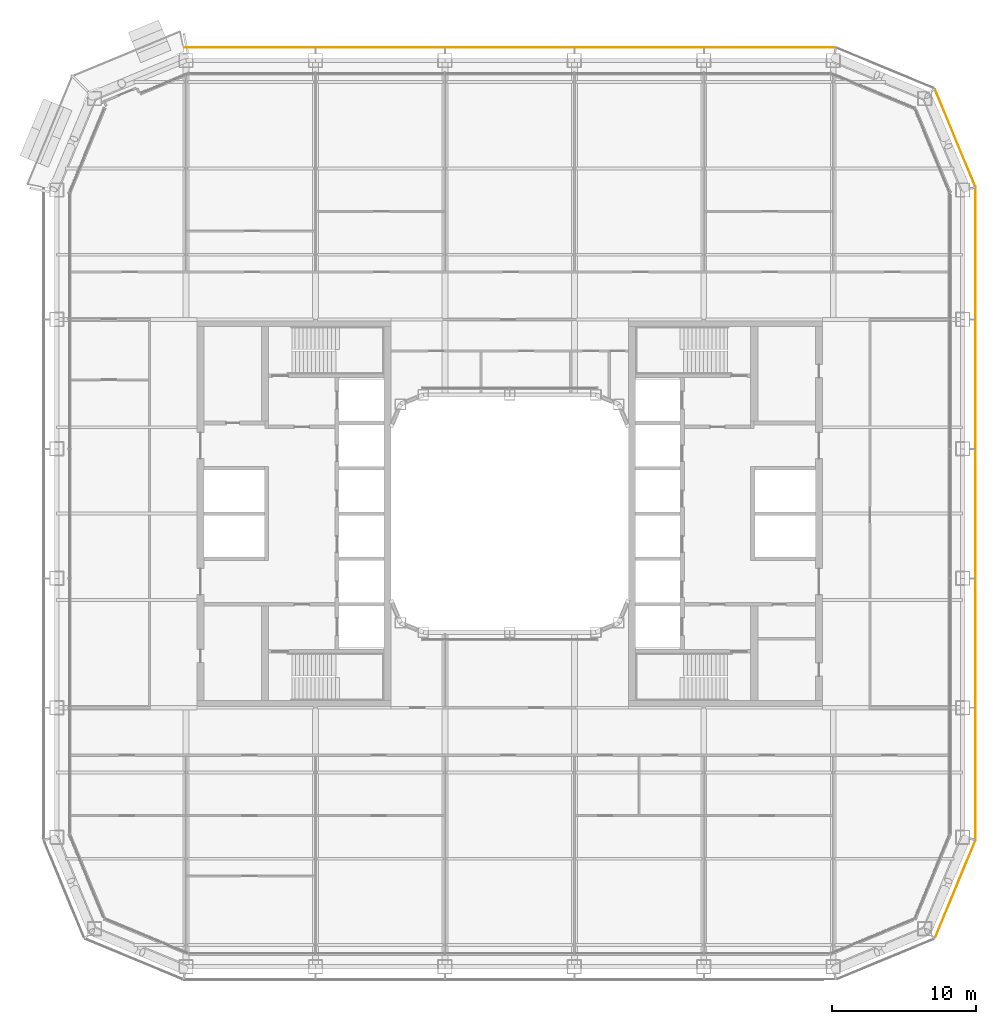
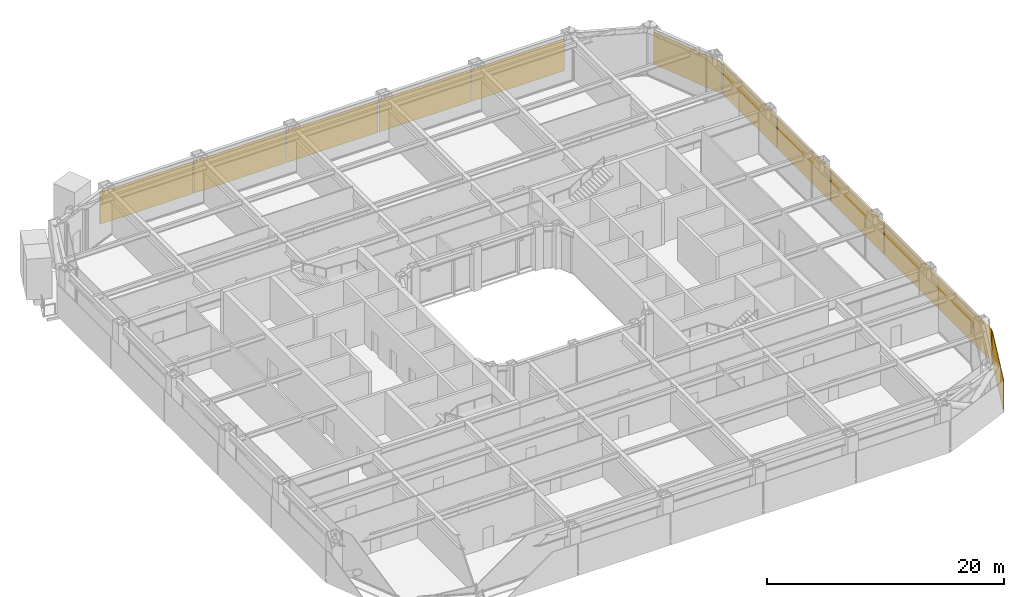
# One storey, part 27 of 28: 12 coverings.
"""IFC4 building model written with IfcOpenShell, lengths in metres."""

from ifc_helpers import new_model, si_unit, direction, frame, origin, origin_2d, place, context, subcontext, project, spatial, rectangle, extrude, material, layer, layer_set, type_object, element, save


model = new_model("IFC4")

# Units and contexts
model_context = context("Model", 3, precision=1e-05, world=origin(), true_north=direction((0.0, 1.0)))
body_context = subcontext(model_context, "Body", "Model", "MODEL_VIEW")
ifc_project = project(units=[si_unit("LENGTHUNIT", "METRE"), si_unit("AREAUNIT", "SQUARE_METRE"), si_unit("VOLUMEUNIT", "CUBIC_METRE"), si_unit("PLANEANGLEUNIT", "RADIAN"), si_unit("MASSUNIT", "GRAM", prefix="KILO")], contexts=[model_context])

# Site, building, storey
site_placement = place(None, origin())
site = spatial("IfcSite", under=ifc_project, at=site_placement, CompositionType="ELEMENT")
building_placement = place(site_placement, origin())
building = spatial("IfcBuilding", under=site, at=building_placement, Name="Siwar Civic Tower", CompositionType="ELEMENT")
storey_placement = place(building_placement, frame((0.0, 0.0, 85.199951171875)))
storey = spatial("IfcBuildingStorey", under=building, at=storey_placement, Name="L18", CompositionType="ELEMENT", Elevation=85.199951171875)

# Coverings
ifc_material_1 = material(Name="Perforated aluminium cassette, pale metal", Category="aluminium")
ifc_layer_1 = layer(ifc_material_1, 0.0400390625)
ifc_layer_set_1 = layer_set([ifc_layer_1], Name="Perforated aluminium cassette, pale metal")
covering_type_1 = type_object("IfcCoveringType", Name="ENV-OUTER SKIN OS-1", PredefinedType="CLADDING", material=ifc_layer_set_1)
covering_1_placement = place(storey_placement, frame((32.39990234375, -18.07958984375, -0.14990234375), z_axis=(0.0, 0.0, 1.0), x_axis=(0.0, 1.0, 0.0)))
element("IfcCovering", 1, at=covering_1_placement, inside=storey, type_object=covering_type_1, Name="OUTER SKIN OS-1 E 1", PredefinedType="CLADDING", context=body_context, shape_type="SweptSolid", body=[
    extrude(rectangle(XDim=9.05908203125, YDim=0.0400390625, at=origin_2d()), origin(), (0.0, 0.0, 1.0), 3.300048828125),
])
for number, where, z_axis, x_axis, name in (
    (2, (32.39990234375, -9.0, -0.14990234375), (0.0, 0.0, 1.0), (0.0, 1.0, 0.0), "OUTER SKIN OS-1 E 2"),
    (3, (32.39990234375, 0.0, -0.14990234375), (0.0, 0.0, 1.0), (0.0, 1.0, 0.0), "OUTER SKIN OS-1 E 3"),
    (4, (32.39990234375, 9.0, -0.14990234375), (0.0, 0.0, 1.0), (0.0, 1.0, 0.0), "OUTER SKIN OS-1 E 4"),
):
    element("IfcCovering", number, at=place(storey_placement, frame(where, z_axis=z_axis, x_axis=x_axis)), inside=storey, type_object=covering_type_1, Name=name, PredefinedType="CLADDING", context=body_context, shape_type="SweptSolid", body=[
        extrude(rectangle(XDim=8.89990234375, YDim=0.0400390625, at=origin_2d()), origin(), (0.0, 0.0, 1.0), 3.300048828125),
    ])
covering_2_placement = place(storey_placement, frame((32.39990234375, 18.07958984375, -0.14990234375), z_axis=(0.0, 0.0, 1.0), x_axis=(0.0, 1.0, 0.0)))
element("IfcCovering", 5, at=covering_2_placement, inside=storey, type_object=covering_type_1, Name="OUTER SKIN OS-1 E 5", PredefinedType="CLADDING", context=body_context, shape_type="SweptSolid", body=[
    extrude(rectangle(XDim=9.05908203125, YDim=0.0400390625, at=origin_2d()), origin(), (0.0, 0.0, 1.0), 3.300048828125),
])
covering_3_placement = place(storey_placement, frame((30.976318359375, 26.115966796875, -0.14990234375), z_axis=(0.0, 0.0, 1.0), x_axis=(-0.382683432365, 0.923879532511, 0.0)))
element("IfcCovering", 6, at=covering_3_placement, inside=storey, type_object=covering_type_1, Name="OUTER SKIN OS-1 NE1 1", PredefinedType="CLADDING", context=body_context, shape_type="SweptSolid", body=[
    extrude(rectangle(XDim=7.300048828125, YDim=0.0400390625, at=origin_2d()), origin(), (0.0, 0.0, 1.0), 3.300048828125),
])
covering_4_placement = place(storey_placement, frame((18.07958984375, 32.39990234375, -0.14990234375), z_axis=(0.0, 0.0, 1.0), x_axis=(-1.0, 0.0, 0.0)))
element("IfcCovering", 7, at=covering_4_placement, inside=storey, type_object=covering_type_1, Name="OUTER SKIN OS-1 N 1", PredefinedType="CLADDING", context=body_context, shape_type="SweptSolid", body=[
    extrude(rectangle(XDim=9.05908203125, YDim=0.0400390625, at=origin_2d()), origin(), (0.0, 0.0, 1.0), 3.300048828125),
])
for number, where, z_axis, x_axis, name in (
    (8, (9.0, 32.39990234375, -0.14990234375), (0.0, 0.0, 1.0), (-1.0, 0.0, 0.0), "OUTER SKIN OS-1 N 2"),
    (9, (0.0, 32.39990234375, -0.14990234375), (0.0, 0.0, 1.0), (-1.0, 0.0, 0.0), "OUTER SKIN OS-1 N 3"),
    (10, (-9.0, 32.39990234375, -0.14990234375), (0.0, 0.0, 1.0), (-1.0, 0.0, 0.0), "OUTER SKIN OS-1 N 4"),
):
    element("IfcCovering", number, at=place(storey_placement, frame(where, z_axis=z_axis, x_axis=x_axis)), inside=storey, type_object=covering_type_1, Name=name, PredefinedType="CLADDING", context=body_context, shape_type="SweptSolid", body=[
        extrude(rectangle(XDim=8.89990234375, YDim=0.0400390625, at=origin_2d()), origin(), (0.0, 0.0, 1.0), 3.300048828125),
    ])
covering_5_placement = place(storey_placement, frame((-18.07958984375, 32.39990234375, -0.14990234375), z_axis=(0.0, 0.0, 1.0), x_axis=(-1.0, 0.0, 0.0)))
element("IfcCovering", 11, at=covering_5_placement, inside=storey, type_object=covering_type_1, Name="OUTER SKIN OS-1 N 5", PredefinedType="CLADDING", context=body_context, shape_type="SweptSolid", body=[
    extrude(rectangle(XDim=9.05908203125, YDim=0.0400390625, at=origin_2d()), origin(), (0.0, 0.0, 1.0), 3.300048828125),
])
ifc_material_2 = material(Name="Perforated aluminium cassette, pale metal", Category="aluminium")
ifc_layer_2 = layer(ifc_material_2, 0.044921875)
ifc_layer_set_2 = layer_set([ifc_layer_2], Name="Perforated aluminium cassette, pale metal")
covering_type_2 = type_object("IfcCoveringType", Name="ENV-OUTER SKIN OS-2", PredefinedType="CLADDING", material=ifc_layer_set_2)
covering_6_placement = place(storey_placement, frame((30.976318359375, -26.115966796875, -0.14990234375), z_axis=(0.0, 0.0, 1.0), x_axis=(0.382683432365, 0.923879532511, 0.0)))
element("IfcCovering", 12, at=covering_6_placement, inside=storey, type_object=covering_type_2, Name="OUTER SKIN OS-2 SE2 1", PredefinedType="CLADDING", context=body_context, shape_type="SweptSolid", body=[
    extrude(rectangle(XDim=7.300048828125, YDim=0.044921875, at=origin_2d()), origin(), (0.0, 0.0, 1.0), 3.300048828125),
])

save(model, "model.ifc")
